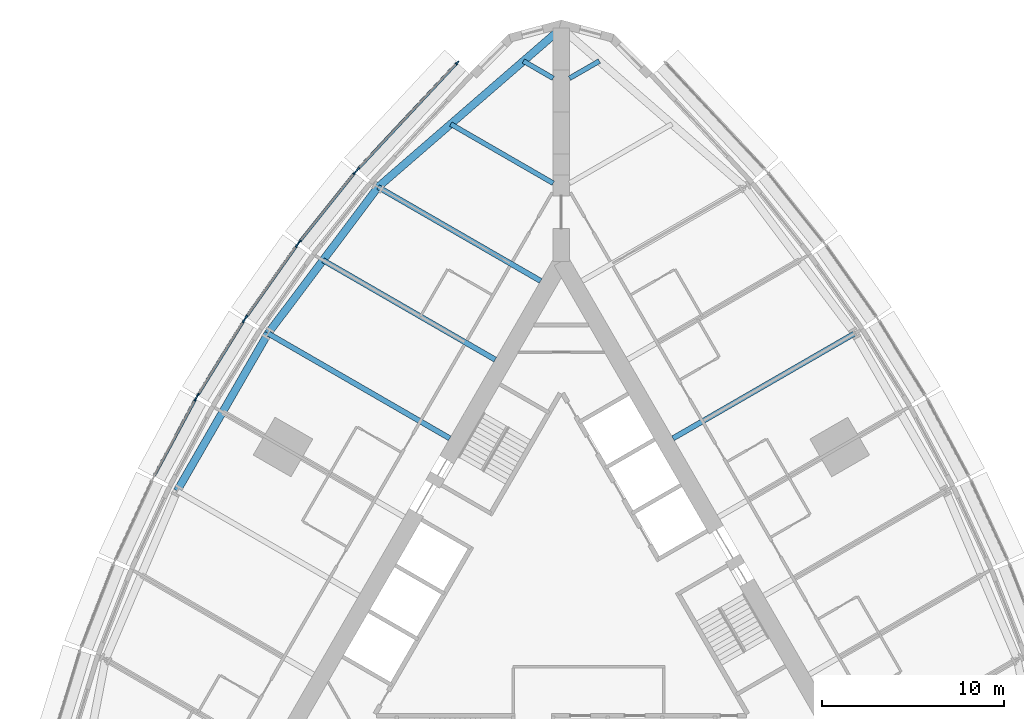
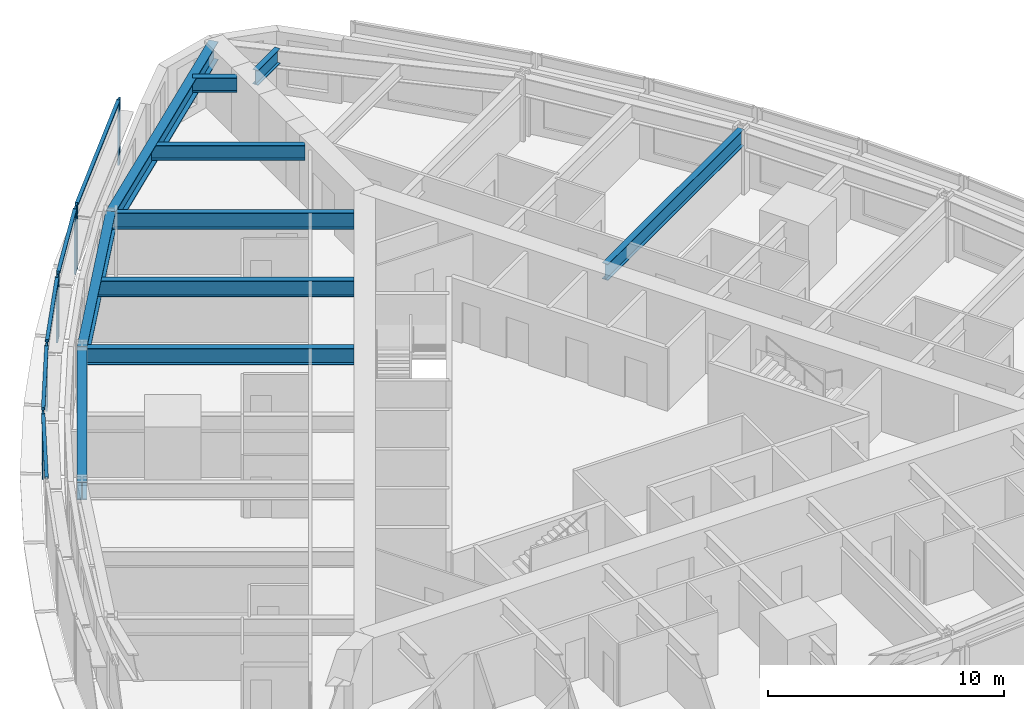
# One storey, part 4 of 14: 14 members, 10 beams, 5 elements without a shape of their own.
"""IFC4 building model written with IfcOpenShell, lengths in metres."""

from ifc_helpers import new_model, si_unit, direction, frame, origin, origin_2d, place, context, subcontext, project, spatial, rectangle, i_section, extrude, material, material_profile, profile_set, type_object, element, aggregate, save


model = new_model("IFC4")

# Units and contexts
model_context = context("Model", 3, precision=1e-05, world=origin(), true_north=direction((0.0, 1.0)))
body_context = subcontext(model_context, "Body", "Model", "MODEL_VIEW")
ifc_project = project(units=[si_unit("LENGTHUNIT", "METRE"), si_unit("AREAUNIT", "SQUARE_METRE"), si_unit("VOLUMEUNIT", "CUBIC_METRE"), si_unit("PLANEANGLEUNIT", "RADIAN"), si_unit("MASSUNIT", "GRAM", prefix="KILO")], contexts=[model_context])

# Site, building, storey
site_placement = place(None, origin())
site = spatial("IfcSite", under=ifc_project, at=site_placement, CompositionType="ELEMENT")
building_placement = place(site_placement, origin())
building = spatial("IfcBuilding", under=site, at=building_placement, Name="Trikona Tower", CompositionType="ELEMENT")
storey_placement = place(building_placement, frame((0.0, 0.0, 31.89990234375)))
storey = spatial("IfcBuildingStorey", under=building, at=storey_placement, Name="L06", CompositionType="ELEMENT", Elevation=31.89990234375)

# Curtain wall, members
ifc_material_1 = material(Name="Aluminium curtain wall system", Category="aluminium")
curtain_wall_type = type_object("IfcCurtainWallType", Name="Curtain wall DS1", PredefinedType="NOTDEFINED", material=ifc_material_1)
curtain_wall_1_placement = place(storey_placement, origin())
curtain_wall_1 = element("IfcCurtainWall", 1, at=curtain_wall_1_placement, inside=storey, type_object=curtain_wall_type, Name="Curtain wall DS1 L06", PredefinedType="NOTDEFINED")
ifc_material_2 = material(Name="Aluminium mullion, pale anodised", Category="aluminium")
ifc_material_profile_1 = material_profile(ifc_material_2, rectangle(XDim=0.080078125, YDim=0.219970703125, at=origin_2d()), Name="MUL-DS1")
ifc_profile_set_1 = profile_set([ifc_material_profile_1], Name="Aluminium mullion, pale anodised")
member_type_1 = type_object("IfcMemberType", Name="Mullion DS1 80x220", PredefinedType="MULLION", material=ifc_profile_set_1)
member_1_placement = place(storey_placement, frame((-5.72607421875, 29.98583984375, 0.0), z_axis=(0.0, 0.0, 1.0), x_axis=(0.731076639405, -0.682295351967, 0.0)))
member_1 = element("IfcMember", 2, at=member_1_placement, type_object=member_type_1, Name="CW-DS1 mullion 1", PredefinedType="MULLION", context=body_context, shape_type="SweptSolid", body=[
    extrude(rectangle(XDim=0.080078125, YDim=0.219970703125, at=origin_2d()), origin(), (0.0, 0.0, 1.0), 3.400146484375),
])
member_2_placement = place(storey_placement, frame((-11.192138671875, 24.129150390625, 0.0), z_axis=(0.0, 0.0, 1.0), x_axis=(0.731076639405, -0.682295351967, 0.0)))
member_2 = element("IfcMember", 3, at=member_2_placement, type_object=member_type_1, Name="CW-DS1 mullion 2", PredefinedType="MULLION", context=body_context, shape_type="SweptSolid", body=[
    extrude(rectangle(XDim=0.080078125, YDim=0.219970703125, at=origin_2d()), origin(), (0.0, 0.0, 1.0), 3.400146484375),
])

curtain_wall_2_placement = place(storey_placement, origin())
curtain_wall_2 = element("IfcCurtainWall", 4, at=curtain_wall_2_placement, inside=storey, type_object=curtain_wall_type, Name="Curtain wall DS1 L06", PredefinedType="NOTDEFINED")
member_3_placement = place(storey_placement, frame((-11.36767578125, 23.926025390625, 0.0), z_axis=(0.0, 0.0, 1.0), x_axis=(0.780937959679, -0.624608599951, 0.0)))
member_3 = element("IfcMember", 5, at=member_3_placement, type_object=member_type_1, Name="CW-DS1 mullion 1", PredefinedType="MULLION", context=body_context, shape_type="SweptSolid", body=[
    extrude(rectangle(XDim=0.080078125, YDim=0.219970703125, at=origin_2d()), origin(), (0.0, 0.0, 1.0), 3.400146484375),
])
member_4_placement = place(storey_placement, frame((-14.40185546875, 20.13232421875, 0.0), z_axis=(0.0, 0.0, 1.0), x_axis=(0.780937959679, -0.624608599951, 0.0)))
member_4 = element("IfcMember", 6, at=member_4_placement, type_object=member_type_1, Name="CW-DS1 mullion 2", PredefinedType="MULLION", context=body_context, shape_type="SweptSolid", body=[
    extrude(rectangle(XDim=0.080078125, YDim=0.219970703125, at=origin_2d()), origin(), (0.0, 0.0, 1.0), 3.400146484375),
])

curtain_wall_3_placement = place(storey_placement, origin())
curtain_wall_3 = element("IfcCurtainWall", 7, at=curtain_wall_3_placement, inside=storey, type_object=curtain_wall_type, Name="Curtain wall DS1 L06", PredefinedType="NOTDEFINED")
member_5_placement = place(storey_placement, frame((-14.554443359375, 19.929443359375, 0.0), z_axis=(0.0, 0.0, 1.0), x_axis=(0.816985393055, -0.576658362928, 0.0)))
member_5 = element("IfcMember", 8, at=member_5_placement, type_object=member_type_1, Name="CW-DS1 mullion 1", PredefinedType="MULLION", context=body_context, shape_type="SweptSolid", body=[
    extrude(rectangle(XDim=0.080078125, YDim=0.219970703125, at=origin_2d()), origin(), (0.0, 0.0, 1.0), 3.400146484375),
])
member_6_placement = place(storey_placement, frame((-17.33447265625, 15.990966796875, 0.0), z_axis=(0.0, 0.0, 1.0), x_axis=(0.816985393055, -0.576658362928, 0.0)))
member_6 = element("IfcMember", 9, at=member_6_placement, type_object=member_type_1, Name="CW-DS1 mullion 2", PredefinedType="MULLION", context=body_context, shape_type="SweptSolid", body=[
    extrude(rectangle(XDim=0.080078125, YDim=0.219970703125, at=origin_2d()), origin(), (0.0, 0.0, 1.0), 3.400146484375),
])

curtain_wall_4_placement = place(storey_placement, origin())
curtain_wall_4 = element("IfcCurtainWall", 10, at=curtain_wall_4_placement, inside=storey, type_object=curtain_wall_type, Name="Curtain wall DS1 L06", PredefinedType="NOTDEFINED")
member_7_placement = place(storey_placement, frame((-17.474853515625, 15.77880859375, 0.0), z_axis=(0.0, 0.0, 1.0), x_axis=(0.850410468941, -0.526119790842, 0.0)))
member_7 = element("IfcMember", 11, at=member_7_placement, type_object=member_type_1, Name="CW-DS1 mullion 1", PredefinedType="MULLION", context=body_context, shape_type="SweptSolid", body=[
    extrude(rectangle(XDim=0.080078125, YDim=0.219970703125, at=origin_2d()), origin(), (0.0, 0.0, 1.0), 3.400146484375),
])
member_8_placement = place(storey_placement, frame((-20.00146484375, 11.69482421875, 0.0), z_axis=(0.0, 0.0, 1.0), x_axis=(0.850410468941, -0.526119790842, 0.0)))
member_8 = element("IfcMember", 12, at=member_8_placement, type_object=member_type_1, Name="CW-DS1 mullion 2", PredefinedType="MULLION", context=body_context, shape_type="SweptSolid", body=[
    extrude(rectangle(XDim=0.080078125, YDim=0.219970703125, at=origin_2d()), origin(), (0.0, 0.0, 1.0), 3.400146484375),
])

# Curtain wall, member
curtain_wall_5_placement = place(storey_placement, origin())
curtain_wall_5 = element("IfcCurtainWall", 13, at=curtain_wall_5_placement, inside=storey, type_object=curtain_wall_type, Name="Curtain wall DS1 L06", PredefinedType="NOTDEFINED")
member_9_placement = place(storey_placement, frame((-20.128662109375, 11.474365234375, 0.0), z_axis=(0.0, 0.0, 1.0), x_axis=(0.880843080975, -0.473408350896, 0.0)))
member_9 = element("IfcMember", 14, at=member_9_placement, type_object=member_type_1, Name="CW-DS1 mullion 1", PredefinedType="MULLION", context=body_context, shape_type="SweptSolid", body=[
    extrude(rectangle(XDim=0.080078125, YDim=0.219970703125, at=origin_2d()), origin(), (0.0, 0.0, 1.0), 3.400146484375),
])

# Beams
ifc_material_3 = material(Name="Steel ASTM A992 Grade 50", Category="steel")
ifc_material_profile_2 = material_profile(ifc_material_3, i_section(OverallWidth=0.2666015625, OverallDepth=0.76953125, WebThickness=0.015625, FlangeThickness=0.025390625, at=origin_2d()), Name="W30X132")
ifc_profile_set_2 = profile_set([ifc_material_profile_2], Name="Steel ASTM A992 Grade 50")
beam_type_1 = type_object("IfcBeamType", Name="Steel beam W30x132 (wedge)", PredefinedType="BEAM", material=ifc_profile_set_2)
for number, where, z_axis, x_axis, name in (
    (15, (0.449951171875, 29.127197265625, 2.850341796875), (0.866009237431, 0.5000279999, 0.0), (-0.5000279999, 0.866009237431, 0.0), "Floor beam L07 F2 u25"),
    (16, (-0.449951171875, 29.127197265625, 2.850341796875), (-0.866009237431, 0.5000279999, 0.0), (-0.5000279999, -0.866009237431, 0.0), "Floor beam L07 F3 u-25"),
):
    element("IfcBeam", number, at=place(storey_placement, frame(where, z_axis=z_axis, x_axis=x_axis)), inside=storey, type_object=beam_type_1, Name=name, PredefinedType="BEAM", context=body_context, shape_type="SweptSolid", body=[
        extrude(i_section(OverallWidth=0.2666015625, OverallDepth=0.76953125, WebThickness=0.015625, FlangeThickness=0.025390625, at=origin_2d()), origin(), (0.0, 0.0, 1.0), 1.890625),
    ])
beam_1_placement = place(storey_placement, frame((-0.449951171875, 23.353759765625, 2.850341796875), z_axis=(-0.866022504693, 0.50000502134, 0.0), x_axis=(-0.50000502134, -0.866022504693, 0.0)))
element("IfcBeam", 17, at=beam_1_placement, inside=storey, type_object=beam_type_1, Name="Floor beam L07 F3 u-20", PredefinedType="BEAM", context=body_context, shape_type="SweptSolid", body=[
    extrude(i_section(OverallWidth=0.2666015625, OverallDepth=0.76953125, WebThickness=0.015625, FlangeThickness=0.025390625, at=origin_2d()), origin(), (0.0, 0.0, 1.0), 6.5068359375),
])
ifc_material_4 = material(Name="Steel ASTM A992 Grade 50", Category="steel")
ifc_material_profile_3 = material_profile(ifc_material_4, i_section(OverallWidth=0.2919921875, OverallDepth=0.845703125, WebThickness=0.015380859375, FlangeThickness=0.0244140625, at=origin_2d()), Name="W33X141")
ifc_profile_set_3 = profile_set([ifc_material_profile_3], Name="Steel ASTM A992 Grade 50")
beam_type_2 = type_object("IfcBeamType", Name="Steel beam W33x141 (radial typ)", PredefinedType="BEAM", material=ifc_profile_set_3)
beam_2_placement = place(storey_placement, frame((6.1396484375, 9.318359375, 2.812255859375), z_axis=(0.866029923217, 0.499992172032, 0.0), x_axis=(-0.499992172032, 0.866029923217, 0.0)))
element("IfcBeam", 18, at=beam_2_placement, inside=storey, type_object=beam_type_2, Name="Floor beam L07 F2 u5", PredefinedType="BEAM", context=body_context, shape_type="SweptSolid", body=[
    extrude(i_section(OverallWidth=0.2919921875, OverallDepth=0.845703125, WebThickness=0.015380859375, FlangeThickness=0.0244140625, at=origin_2d()), origin(), (0.0, 0.0, 1.0), 11.544189453125),
])
beam_3_placement = place(storey_placement, frame((-1.1396484375, 17.978515625, 2.812255859375), z_axis=(-0.866030471684, 0.499991222037, 0.0), x_axis=(-0.499991222037, -0.866030471684, 0.0)))
element("IfcBeam", 19, at=beam_3_placement, inside=storey, type_object=beam_type_2, Name="Floor beam L07 F3 u-15", PredefinedType="BEAM", context=body_context, shape_type="SweptSolid", body=[
    extrude(i_section(OverallWidth=0.2919921875, OverallDepth=0.845703125, WebThickness=0.015380859375, FlangeThickness=0.0244140625, at=origin_2d()), origin(), (0.0, 0.0, 1.0), 10.326904296875),
])
beam_4_placement = place(storey_placement, frame((-3.6396484375, 13.6484375, 2.812255859375), z_axis=(-0.866025348605, 0.500000095573, 0.0), x_axis=(-0.500000095573, -0.866025348605, 0.0)))
element("IfcBeam", 20, at=beam_4_placement, inside=storey, type_object=beam_type_2, Name="Floor beam L07 F3 u-10", PredefinedType="BEAM", context=body_context, shape_type="SweptSolid", body=[
    extrude(i_section(OverallWidth=0.2919921875, OverallDepth=0.845703125, WebThickness=0.015380859375, FlangeThickness=0.0244140625, at=origin_2d()), origin(), (0.0, 0.0, 1.0), 10.935546875),
])
beam_5_placement = place(storey_placement, frame((-6.1396484375, 9.318359375, 2.812255859375), z_axis=(-0.866029923217, 0.499992172032, 0.0), x_axis=(-0.499992172032, -0.866029923217, 0.0)))
element("IfcBeam", 21, at=beam_5_placement, inside=storey, type_object=beam_type_2, Name="Floor beam L07 F3 u-5", PredefinedType="BEAM", context=body_context, shape_type="SweptSolid", body=[
    extrude(i_section(OverallWidth=0.2919921875, OverallDepth=0.845703125, WebThickness=0.015380859375, FlangeThickness=0.0244140625, at=origin_2d()), origin(), (0.0, 0.0, 1.0), 11.544189453125),
])
ifc_material_5 = material(Name="Steel ASTM A992 Grade 50", Category="steel")
ifc_material_profile_4 = material_profile(ifc_material_5, i_section(OverallWidth=0.424072265625, OverallDepth=0.947509765625, WebThickness=0.02392578125, FlangeThickness=0.042724609375, at=origin_2d()), Name="W36X302")
ifc_profile_set_4 = profile_set([ifc_material_profile_4], Name="Steel ASTM A992 Grade 50")
beam_type_3 = type_object("IfcBeamType", Name="Steel beam W36x302 (spandrel)", PredefinedType="SPANDREL", material=ifc_profile_set_4)
beam_6_placement = place(storey_placement, frame((0.0, 31.881591796875, 2.761474609375), z_axis=(-0.755646822726, -0.654979296851, 0.0), x_axis=(0.654979296851, -0.755646822726, 0.0)))
element("IfcBeam", 22, at=beam_6_placement, inside=storey, type_object=beam_type_3, Name="Spandrel beam L07 F3-1", PredefinedType="SPANDREL", context=body_context, shape_type="SweptSolid", body=[
    extrude(i_section(OverallWidth=0.424072265625, OverallDepth=0.947509765625, WebThickness=0.02392578125, FlangeThickness=0.042724609375, at=origin_2d()), origin(), (0.0, 0.0, 1.0), 13.343505859375),
])
beam_7_placement = place(storey_placement, frame((-10.0830078125, 23.141845703125, 2.761474609375), z_axis=(-0.600988344191, -0.799257787042, 0.0), x_axis=(0.799257787042, -0.600988344191, 0.0)))
element("IfcBeam", 23, at=beam_7_placement, inside=storey, type_object=beam_type_3, Name="Spandrel beam L07 F3-2", PredefinedType="SPANDREL", context=body_context, shape_type="SweptSolid", body=[
    extrude(i_section(OverallWidth=0.424072265625, OverallDepth=0.947509765625, WebThickness=0.02392578125, FlangeThickness=0.042724609375, at=origin_2d()), origin(), (0.0, 0.0, 1.0), 10.07373046875),
])
beam_8_placement = place(storey_placement, frame((-16.13720703125, 15.09033203125, 2.761474609375), z_axis=(-0.500004234368, -0.866022959057, 0.0), x_axis=(0.866022959057, -0.500004234368, 0.0)))
element("IfcBeam", 24, at=beam_8_placement, inside=storey, type_object=beam_type_3, Name="Spandrel beam L07 F3-3", PredefinedType="SPANDREL", context=body_context, shape_type="SweptSolid", body=[
    extrude(i_section(OverallWidth=0.424072265625, OverallDepth=0.947509765625, WebThickness=0.02392578125, FlangeThickness=0.042724609375, at=origin_2d()), origin(), (0.0, 0.0, 1.0), 10.0),
])

# Member
ifc_material_6 = material(Name="Aluminium transom, pale anodised", Category="aluminium")
ifc_material_profile_5 = material_profile(ifc_material_6, rectangle(XDim=0.159912109375, YDim=0.080078125, at=origin_2d()), Name="TRN-DS1")
ifc_profile_set_5 = profile_set([ifc_material_profile_5], Name="Aluminium transom, pale anodised")
member_type_2 = type_object("IfcMemberType", Name="Transom DS1 80x160", PredefinedType="USERDEFINED", material=ifc_profile_set_5)
member_10_placement = place(storey_placement, frame((-5.75341796875, 29.95654296875, 3.360107421875), z_axis=(-0.682290830921, -0.731080858758, 0.0), x_axis=(0.731080858758, -0.682290830921, 0.0)))
member_10 = element("IfcMember", 25, at=member_10_placement, type_object=member_type_2, Name="CW-DS1 transom 1.1", ObjectType="TRANSOM", PredefinedType="USERDEFINED", context=body_context, shape_type="SweptSolid", body=[
    extrude(rectangle(XDim=0.159912109375, YDim=0.080078125, at=origin_2d()), origin(), (0.0, 0.0, 1.0), 7.93115234375),
])

aggregate(curtain_wall_1, [member_1, member_2, member_10])

member_11_placement = place(storey_placement, frame((-11.392822265625, 23.894775390625, 3.360107421875), z_axis=(-0.624589103832, -0.780953552636, 0.0), x_axis=(0.780953552636, -0.624589103832, 0.0)))
member_11 = element("IfcMember", 26, at=member_11_placement, type_object=member_type_2, Name="CW-DS1 transom 1.1", ObjectType="TRANSOM", PredefinedType="USERDEFINED", context=body_context, shape_type="SweptSolid", body=[
    extrude(rectangle(XDim=0.159912109375, YDim=0.080078125, at=origin_2d()), origin(), (0.0, 0.0, 1.0), 4.77783203125),
])

aggregate(curtain_wall_2, [member_3, member_4, member_11])

member_12_placement = place(storey_placement, frame((-14.57763671875, 19.896728515625, 3.360107421875), z_axis=(-0.57664478015, -0.816994980111, 0.0), x_axis=(0.816994980111, -0.57664478015, 0.0)))
member_12 = element("IfcMember", 27, at=member_12_placement, type_object=member_type_2, Name="CW-DS1 transom 1.1", ObjectType="TRANSOM", PredefinedType="USERDEFINED", context=body_context, shape_type="SweptSolid", body=[
    extrude(rectangle(XDim=0.159912109375, YDim=0.080078125, at=origin_2d()), origin(), (0.0, 0.0, 1.0), 4.740478515625),
])

aggregate(curtain_wall_3, [member_5, member_6, member_12])

member_13_placement = place(storey_placement, frame((-17.495849609375, 15.744873046875, 3.360107421875), z_axis=(-0.526080502257, -0.850434774186, 0.0), x_axis=(0.850434774186, -0.526080502257, 0.0)))
member_13 = element("IfcMember", 28, at=member_13_placement, type_object=member_type_2, Name="CW-DS1 transom 1.1", ObjectType="TRANSOM", PredefinedType="USERDEFINED", context=body_context, shape_type="SweptSolid", body=[
    extrude(rectangle(XDim=0.159912109375, YDim=0.080078125, at=origin_2d()), origin(), (0.0, 0.0, 1.0), 4.722412109375),
])

aggregate(curtain_wall_4, [member_7, member_8, member_13])

member_14_placement = place(storey_placement, frame((-20.147705078125, 11.43896484375, 3.360107421875), z_axis=(-0.473427569755, -0.880832751546, 0.0), x_axis=(0.880832751546, -0.473427569755, 0.0)))
member_14 = element("IfcMember", 29, at=member_14_placement, type_object=member_type_2, Name="CW-DS1 transom 1.1", ObjectType="TRANSOM", PredefinedType="USERDEFINED", context=body_context, shape_type="SweptSolid", body=[
    extrude(rectangle(XDim=0.159912109375, YDim=0.080078125, at=origin_2d()), origin(), (0.0, 0.0, 1.0), 4.72216796875),
])

aggregate(curtain_wall_5, [member_9, member_14])

save(model, "model.ifc")
